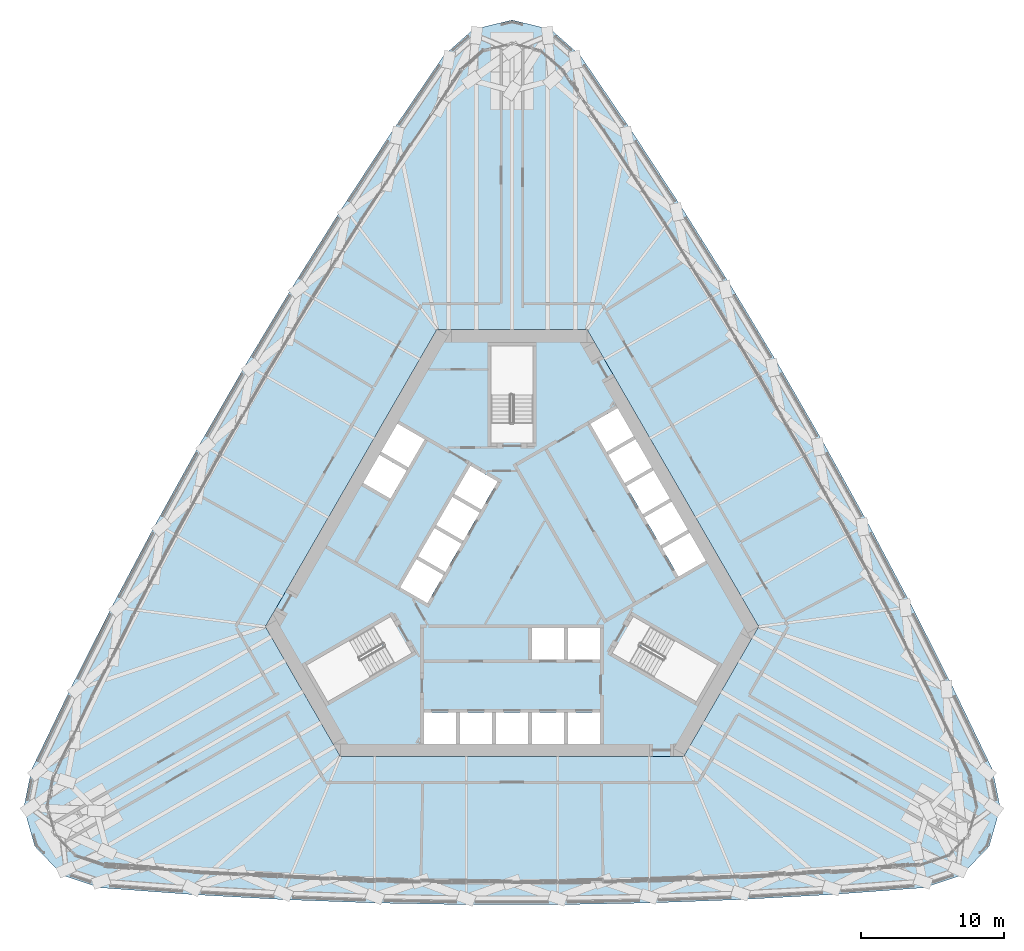
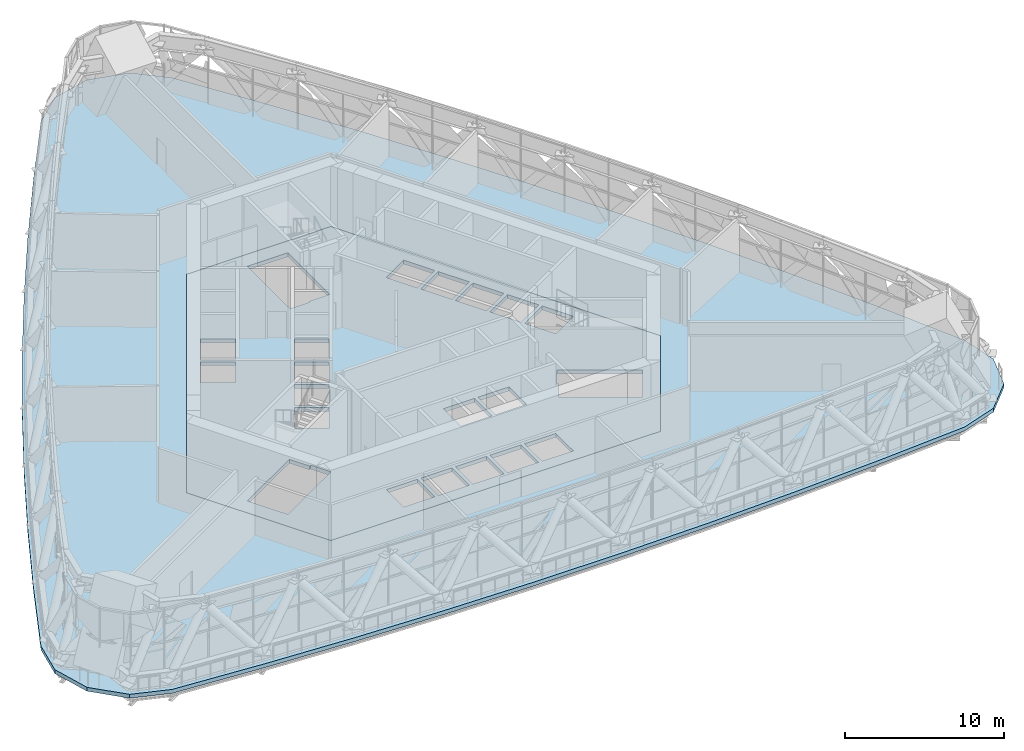
# One storey, part 16 of 43: 2 slabs.
"""IFC4 building model written with IfcOpenShell, lengths in metres."""

from ifc_helpers import new_model, si_unit, direction, frame, origin, place, context, subcontext, project, spatial, polyline, outline, extrude, material, layer, layer_set, type_object, element, save


model = new_model("IFC4")

# Units and contexts
model_context = context("Model", 3, precision=1e-05, world=origin(), true_north=direction((0.0, 1.0)))
body_context = subcontext(model_context, "Body", "Model", "MODEL_VIEW")
ifc_project = project(units=[si_unit("LENGTHUNIT", "METRE"), si_unit("AREAUNIT", "SQUARE_METRE"), si_unit("VOLUMEUNIT", "CUBIC_METRE"), si_unit("PLANEANGLEUNIT", "RADIAN"), si_unit("MASSUNIT", "GRAM", prefix="KILO")], contexts=[model_context])

# Site, building, storey
site_placement = place(None, origin())
site = spatial("IfcSite", under=ifc_project, at=site_placement, CompositionType="ELEMENT")
building_placement = place(site_placement, origin())
building = spatial("IfcBuilding", under=site, at=building_placement, Name="Mestral Congress Tower", CompositionType="ELEMENT")
storey_placement = place(building_placement, frame((0.0, 0.0, 78.300048828125)))
storey = spatial("IfcBuildingStorey", under=building, at=storey_placement, Name="L18", CompositionType="ELEMENT", Elevation=78.300048828125)

# Slabs
ifc_material_1 = material(Name="Concrete C35/45", Category="concrete")
ifc_layer_1 = layer(ifc_material_1, 0.300048828125)
ifc_layer_set_1 = layer_set([ifc_layer_1], Name="Concrete C35/45")
slab_type_1 = type_object("IfcSlabType", Name="Composite floor slab 300", PredefinedType="FLOOR", material=ifc_layer_set_1)
placement = place(storey_placement, frame((0.0, 0.0, -0.300048828125)))
element("IfcSlab", 1, at=placement, inside=storey, type_object=slab_type_1, Name="SL-L18", PredefinedType="FLOOR", context=body_context, shape_type="SweptSolid", body=[
    extrude(outline(polyline([(-28.8564453125, -22.17529296875), (-31.45849609375, -21.301025390625), (-33.39599609375, -19.28125), (-34.176513671875, -16.59326171875), (-33.6328125, -13.90283203125), (-30.824462890625, -8.084228515625), (-27.93310546875, -2.365478515625), (-24.936279296875, 3.298828125), (-21.835205078125, 8.90673828125), (-18.631103515625, 14.45654296875), (-15.324951171875, 19.946044921875), (-11.91796875, 25.373291015625), (-8.4111328125, 30.737060546875), (-4.776123046875, 36.078125), (-2.718017578125, 37.894287109375), (0.0, 38.562255859375), (2.718017578125, 37.894287109375), (4.776123046875, 36.078125), (8.4111328125, 30.737060546875), (11.91796875, 25.373291015625), (15.324951171875, 19.946044921875), (18.631103515625, 14.45654296875), (21.835205078125, 8.90673828125), (24.936279296875, 3.298828125), (27.93310546875, -2.365478515625), (30.824462890625, -8.084228515625), (33.6328125, -13.90283203125), (34.176513671875, -16.59326171875), (33.39599609375, -19.28125), (31.45849609375, -21.301025390625), (28.8564453125, -22.17529296875), (22.41357421875, -22.652587890625), (16.01513671875, -23.0078125), (9.611083984375, -23.244873046875), (3.2041015625, -23.36328125), (-3.2041015625, -23.36328125), (-9.611083984375, -23.244873046875), (-16.01513671875, -23.0078125), (-22.41357421875, -22.652587890625), (-28.8564453125, -22.17529296875)]), holes=[polyline([(-5.25390625, 16.89990234375), (-17.2626953125, -3.89990234375), (-12.0087890625, -13.0), (12.0087890625, -13.0), (17.2626953125, -3.89990234375), (5.25390625, 16.89990234375), (-5.25390625, 16.89990234375)])]), origin(), (0.0, 0.0, 1.0), 0.300048828125),
])
ifc_material_2 = material(Name="Concrete C60/75", Category="concrete")
ifc_layer_2 = layer(ifc_material_2, 0.300048828125)
ifc_layer_set_2 = layer_set([ifc_layer_2], Name="Concrete C60/75")
slab_type_2 = type_object("IfcSlabType", Name="Core floor slab RC 300", PredefinedType="FLOOR", material=ifc_layer_set_2)
element("IfcSlab", 2, at=placement, inside=storey, type_object=slab_type_2, Name="L18 core floor", PredefinedType="FLOOR", context=body_context, shape_type="SweptSolid", body=[
    extrude(outline(polyline([(12.0087890625, -13.0), (-12.0087890625, -13.0), (-17.2626953125, -3.89990234375), (-5.25390625, 16.89990234375), (5.25390625, 16.89990234375), (17.2626953125, -3.89990234375), (12.0087890625, -13.0)]), holes=[polyline([(-3.905029296875, -9.89990234375), (-6.175048828125, -9.89990234375), (-6.175048828125, -12.10009765625), (-3.905029296875, -12.10009765625), (-3.905029296875, -9.89990234375)]), polyline([(-1.385009765625, -9.89990234375), (-3.655029296875, -9.89990234375), (-3.655029296875, -12.10009765625), (-1.385009765625, -12.10009765625), (-1.385009765625, -9.89990234375)]), polyline([(1.135009765625, -9.89990234375), (-1.135009765625, -9.89990234375), (-1.135009765625, -12.10009765625), (1.135009765625, -12.10009765625), (1.135009765625, -9.89990234375)]), polyline([(-9.0673828125, -5.235107421875), (-9.8046875, -3.95751953125), (-14.37744140625, -6.59765625), (-12.90234375, -9.15234375), (-8.234619140625, -6.45751953125), (-8.971923828125, -5.179931640625), (-9.0673828125, -5.235107421875)]), polyline([(-7.826904296875, -1.156494140625), (-5.921630859375, -2.256591796875), (-4.78662109375, -0.29052734375), (-6.69189453125, 0.809326171875), (-7.826904296875, -1.156494140625)]), polyline([(-4.66162109375, -0.07421875), (-3.526611328125, 1.8916015625), (-5.431884765625, 2.99169921875), (-6.56689453125, 1.02587890625), (-4.66162109375, -0.07421875)]), polyline([(-3.401611328125, 2.1083984375), (-2.2666015625, 4.07421875), (-4.171875, 5.174072265625), (-5.306884765625, 3.208251953125), (-3.401611328125, 2.1083984375)]), polyline([(-2.1416015625, 4.29052734375), (-1.006591796875, 6.256591796875), (-2.911865234375, 7.3564453125), (-4.046875, 5.390625), (-2.1416015625, 4.29052734375)]), polyline([(-10.41650390625, 6.158203125), (-8.51123046875, 5.058349609375), (-7.376220703125, 7.024169921875), (-9.281494140625, 8.1240234375), (-10.41650390625, 6.158203125)]), polyline([(-9.156494140625, 8.340576171875), (-7.251220703125, 7.240478515625), (-6.1162109375, 9.20654296875), (-8.021484375, 10.306396484375), (-9.156494140625, 8.340576171875)]), polyline([(1.47509765625, 10.469970703125), (1.47509765625, 15.75), (-1.47509765625, 15.75), (-1.47509765625, 10.360107421875), (0.0, 10.360107421875), (0.0, 10.469970703125), (1.47509765625, 10.469970703125)]), polyline([(3.655029296875, -9.89990234375), (1.385009765625, -9.89990234375), (1.385009765625, -12.10009765625), (3.655029296875, -12.10009765625), (3.655029296875, -9.89990234375)]), polyline([(6.175048828125, -9.89990234375), (3.905029296875, -9.89990234375), (3.905029296875, -12.10009765625), (6.175048828125, -12.10009765625), (6.175048828125, -9.89990234375)]), polyline([(9.0673828125, -5.235107421875), (8.329833984375, -6.512451171875), (12.90234375, -9.15234375), (14.37744140625, -6.59765625), (9.70947265625, -3.902587890625), (8.971923828125, -5.179931640625), (9.0673828125, -5.235107421875)]), polyline([(3.655029296875, -6.199951171875), (3.655029296875, -4.0), (1.385009765625, -4.0), (1.385009765625, -6.199951171875), (3.655029296875, -6.199951171875)]), polyline([(6.175048828125, -4.0), (3.905029296875, -4.0), (3.905029296875, -6.199951171875), (6.175048828125, -6.199951171875), (6.175048828125, -4.0)]), polyline([(12.431396484375, 2.668212890625), (10.526123046875, 1.568115234375), (11.6611328125, -0.397705078125), (13.56640625, 0.702392578125), (12.431396484375, 2.668212890625)]), polyline([(11.17138671875, 4.8505859375), (9.26611328125, 3.75048828125), (10.401123046875, 1.78466796875), (12.306396484375, 2.884765625), (11.17138671875, 4.8505859375)]), polyline([(8.006103515625, 5.932861328125), (9.14111328125, 3.967041015625), (11.04638671875, 5.067138671875), (9.911376953125, 7.032958984375), (8.006103515625, 5.932861328125)]), polyline([(8.6513671875, 9.21533203125), (6.74609375, 8.115234375), (7.881103515625, 6.1494140625), (9.786376953125, 7.24951171875), (8.6513671875, 9.21533203125)]), polyline([(7.391357421875, 11.397705078125), (5.486083984375, 10.297607421875), (6.62109375, 8.331787109375), (8.5263671875, 9.431884765625), (7.391357421875, 11.397705078125)])]), origin(), (0.0, 0.0, 1.0), 0.300048828125),
])

save(model, "model.ifc")
